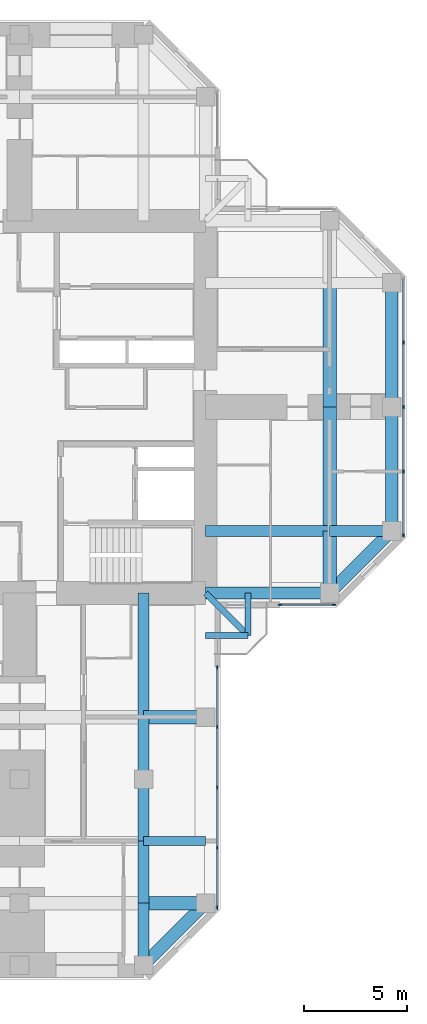
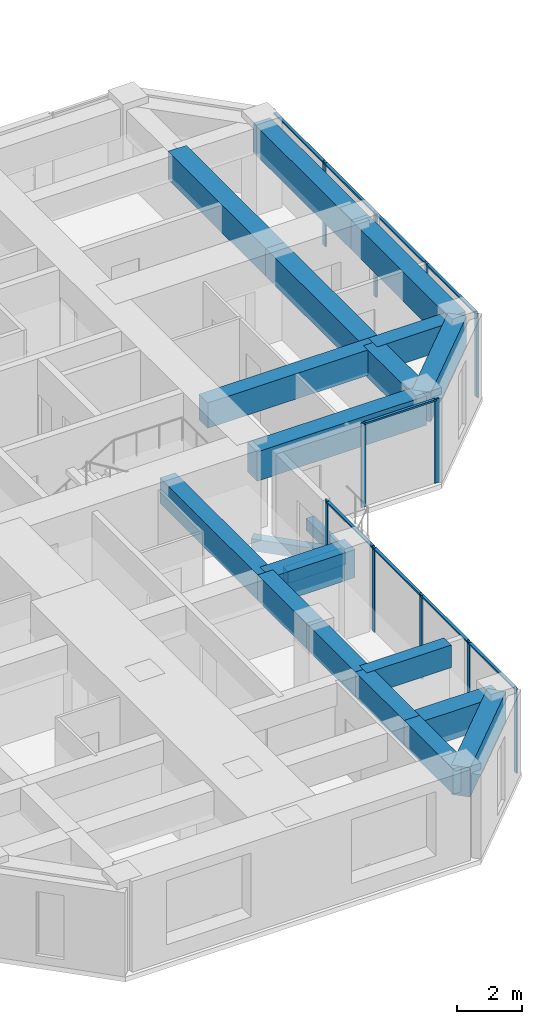
# One storey, part 4 of 14: 21 beams, 20 members, 3 elements without a shape of their own.
"""IFC4 building model written with IfcOpenShell, lengths in metres."""

from ifc_helpers import new_model, si_unit, direction, frame, origin, origin_2d, place, context, subcontext, project, spatial, rectangle, extrude, material, material_profile, profile_set, type_object, element, aggregate, save


model = new_model("IFC4")

# Units and contexts
model_context = context("Model", 3, precision=1e-05, world=origin(), true_north=direction((0.0, 1.0)))
body_context = subcontext(model_context, "Body", "Model", "MODEL_VIEW")
ifc_project = project(units=[si_unit("LENGTHUNIT", "METRE"), si_unit("AREAUNIT", "SQUARE_METRE"), si_unit("VOLUMEUNIT", "CUBIC_METRE"), si_unit("PLANEANGLEUNIT", "RADIAN"), si_unit("MASSUNIT", "GRAM", prefix="KILO")], contexts=[model_context])

# Site, building, storey
site_placement = place(None, origin())
site = spatial("IfcSite", under=ifc_project, at=site_placement, CompositionType="ELEMENT")
building_placement = place(site_placement, origin())
building = spatial("IfcBuilding", under=site, at=building_placement, Name="Torre Cruceta", CompositionType="ELEMENT")
storey_placement = place(building_placement, frame((0.0, 0.0, 213.699951171875)))
storey = spatial("IfcBuildingStorey", under=building, at=storey_placement, Name="L54", CompositionType="ELEMENT", Elevation=213.699951171875)

# Beams
ifc_material_1 = material(Name="Concrete G60 (fck 60 MPa)", Category="concrete")
ifc_material_profile_1 = material_profile(ifc_material_1, rectangle(XDim=0.300048828125, YDim=0.449951171875, at=origin_2d()), Name="RC 300X450")
ifc_profile_set_1 = profile_set([ifc_material_profile_1], Name="Concrete G60 (fck 60 MPa)")
beam_type_1 = type_object("IfcBeamType", Name="BALCONY CANTILEVER BEAM RC 300X450", PredefinedType="BEAM", material=ifc_profile_set_1)
beam_1_placement = place(storey_placement, frame((9.0, -9.0, -0.405029296875), z_axis=(0.707106781187, -0.707106781187, 0.0), x_axis=(0.707106781187, 0.707106781187, 0.0)))
element("IfcBeam", 1, at=beam_1_placement, inside=storey, type_object=beam_type_1, Name="BB1 balcony beam L54 S", PredefinedType="BEAM", context=body_context, shape_type="SweptSolid", body=[
    extrude(rectangle(XDim=0.300048828125, YDim=0.449951171875, at=origin_2d()), origin(), (0.0, 0.0, 1.0), 2.89990234375),
])
for number, where, z_axis, x_axis, name in (
    (2, (11.050537109375, -9.0, -0.405029296875), (0.0, -1.0, 0.0), (1.0, 0.0, 0.0), "BB1 balcony edge beam L54 S-X"),
    (3, (9.0, -11.050537109375, -0.405029296875), (1.0, 0.0, 0.0), (0.0, 1.0, 0.0), "BB1 balcony edge beam L54 S-Y"),
):
    element("IfcBeam", number, at=place(storey_placement, frame(where, z_axis=z_axis, x_axis=x_axis)), inside=storey, type_object=beam_type_1, Name=name, PredefinedType="BEAM", context=body_context, shape_type="SweptSolid", body=[
        extrude(rectangle(XDim=0.300048828125, YDim=0.449951171875, at=origin_2d()), origin(), (0.0, 0.0, 1.0), 2.050537109375),
    ])
ifc_material_2 = material(Name="Concrete G60 (fck 60 MPa)", Category="concrete")
ifc_material_profile_2 = material_profile(ifc_material_2, rectangle(XDim=0.550048828125, YDim=0.949951171875, at=origin_2d()), Name="RC 550X950")
ifc_profile_set_2 = profile_set([ifc_material_profile_2], Name="Concrete G60 (fck 60 MPa)")
beam_type_2 = type_object("IfcBeamType", Name="COLUMN LINE BEAM RC 550X950", PredefinedType="BEAM", material=ifc_profile_set_2)
beam_2_placement = place(storey_placement, frame((9.0, -6.0, 2.675048828125), z_axis=(1.0, 0.0, 0.0), x_axis=(0.0, 1.0, 0.0)))
element("IfcBeam", 4, at=beam_2_placement, inside=storey, type_object=beam_type_2, Name="LB3 L54 E col- 1", PredefinedType="BEAM", context=body_context, shape_type="SweptSolid", body=[
    extrude(rectangle(XDim=0.550048828125, YDim=0.949951171875, at=origin_2d()), origin(), (0.0, 0.0, 1.0), 6.0),
])
beam_3_placement = place(storey_placement, frame((15.0, -6.0, 2.675048828125), z_axis=(1.0, 0.0, 0.0), x_axis=(0.0, 1.0, 0.0)))
element("IfcBeam", 5, at=beam_3_placement, inside=storey, type_object=beam_type_2, Name="LB3 L54 E col- 2", PredefinedType="BEAM", context=body_context, shape_type="SweptSolid", body=[
    extrude(rectangle(XDim=0.550048828125, YDim=0.949951171875, at=origin_2d()), origin(), (0.0, 0.0, 1.0), 3.0),
])
beam_4_placement = place(storey_placement, frame((6.0, -9.0, 2.675048828125), z_axis=(0.0, -1.0, 0.0), x_axis=(1.0, 0.0, 0.0)))
element("IfcBeam", 6, at=beam_4_placement, inside=storey, type_object=beam_type_2, Name="LB3 L54 S col+ 1", PredefinedType="BEAM", context=body_context, shape_type="SweptSolid", body=[
    extrude(rectangle(XDim=0.550048828125, YDim=0.949951171875, at=origin_2d()), origin(), (0.0, 0.0, 1.0), 6.0),
])
for number, where, z_axis, x_axis, name in (
    (7, (6.0, -15.0, 2.675048828125), (0.0, -1.0, 0.0), (1.0, 0.0, 0.0), "LB3 L54 S col+ 2"),
    (8, (6.0, -18.0, 2.675048828125), (0.0, -1.0, 0.0), (1.0, 0.0, 0.0), "LB3 L54 S col+ 3"),
    (9, (6.0, -21.0, 2.675048828125), (0.0, -1.0, 0.0), (1.0, 0.0, 0.0), "LB3 L54 S col+ 4"),
    (10, (6.0, -24.0, 2.675048828125), (0.0, -1.0, 0.0), (1.0, 0.0, 0.0), "LB3 L54 S col+ 5"),
):
    element("IfcBeam", number, at=place(storey_placement, frame(where, z_axis=z_axis, x_axis=x_axis)), inside=storey, type_object=beam_type_2, Name=name, PredefinedType="BEAM", context=body_context, shape_type="SweptSolid", body=[
        extrude(rectangle(XDim=0.550048828125, YDim=0.949951171875, at=origin_2d()), origin(), (0.0, 0.0, 1.0), 3.0),
    ])
ifc_material_3 = material(Name="Concrete G60 (fck 60 MPa)", Category="concrete")
ifc_material_profile_3 = material_profile(ifc_material_3, rectangle(XDim=0.64990234375, YDim=1.050048828125, at=origin_2d()), Name="RC 650X1050")
ifc_profile_set_3 = profile_set([ifc_material_profile_3], Name="Concrete G60 (fck 60 MPa)")
beam_type_3 = type_object("IfcBeamType", Name="CROSS BEAM RC 650X1050", PredefinedType="BEAM", material=ifc_profile_set_3)
beam_5_placement = place(storey_placement, frame((15.0, -9.0, 2.625), z_axis=(0.0, 1.0, 0.0), x_axis=(-1.0, 0.0, 0.0)))
element("IfcBeam", 11, at=beam_5_placement, inside=storey, type_object=beam_type_3, Name="GB3 L54 E cross15 1", PredefinedType="BEAM", context=body_context, shape_type="SweptSolid", body=[
    extrude(rectangle(XDim=0.64990234375, YDim=1.050048828125, at=origin_2d()), origin(), (0.0, 0.0, 1.0), 3.0),
])
for number, where, z_axis, x_axis, name in (
    (12, (15.0, -6.0, 2.625), (0.0, 1.0, 0.0), (-1.0, 0.0, 0.0), "GB3 L54 E cross15 2"),
    (13, (15.0, 0.0, 2.625), (0.0, 1.0, 0.0), (-1.0, 0.0, 0.0), "GB3 L54 E cross15 3"),
):
    element("IfcBeam", number, at=place(storey_placement, frame(where, z_axis=z_axis, x_axis=x_axis)), inside=storey, type_object=beam_type_3, Name=name, PredefinedType="BEAM", context=body_context, shape_type="SweptSolid", body=[
        extrude(rectangle(XDim=0.64990234375, YDim=1.050048828125, at=origin_2d()), origin(), (0.0, 0.0, 1.0), 6.0),
    ])
for number, where, z_axis, x_axis, name in (
    (14, (6.0, -15.0, 2.625), (1.0, 0.0, 0.0), (0.0, 1.0, 0.0), "GB3 L54 S cross15 4"),
    (15, (6.0, -24.0, 2.625), (1.0, 0.0, 0.0), (0.0, 1.0, 0.0), "GB3 L54 S cross24 4"),
):
    element("IfcBeam", number, at=place(storey_placement, frame(where, z_axis=z_axis, x_axis=x_axis)), inside=storey, type_object=beam_type_3, Name=name, PredefinedType="BEAM", context=body_context, shape_type="SweptSolid", body=[
        extrude(rectangle(XDim=0.64990234375, YDim=1.050048828125, at=origin_2d()), origin(), (0.0, 0.0, 1.0), 3.0),
    ])

# Curtain wall, members
ifc_material_4 = material(Name="Aluminium unitised curtain wall", Category="aluminium")
curtain_wall_type = type_object("IfcCurtainWallType", Name="CURTAIN WALL CW-C CO-LIVING", PredefinedType="USERDEFINED", material=ifc_material_4)
curtain_wall_1_placement = place(storey_placement, origin())
curtain_wall_1 = element("IfcCurtainWall", 16, at=curtain_wall_1_placement, inside=storey, type_object=curtain_wall_type, Name="CW-C L54 E side 00", ObjectType="UNITISED", PredefinedType="USERDEFINED")
ifc_material_5 = material(Name="Aluminium mullion", Category="aluminium")
ifc_material_profile_4 = material_profile(ifc_material_5, rectangle(XDim=0.06005859375, YDim=0.159912109375, at=origin_2d()), Name="AL 60X160")
ifc_profile_set_4 = profile_set([ifc_material_profile_4], Name="Aluminium mullion")
member_type_1 = type_object("IfcMemberType", Name="CW-C MULLION 60X160", PredefinedType="MULLION", material=ifc_profile_set_4)
member_1_placement = place(storey_placement, frame((12.60009765625, -9.570068359375, 0.0), z_axis=(0.0, 0.0, 1.0), x_axis=(0.0, 1.0, 0.0)))
member_1 = element("IfcMember", 17, at=member_1_placement, type_object=member_type_1, Name="CW-C mullion 1", PredefinedType="MULLION", context=body_context, shape_type="SweptSolid", body=[
    extrude(rectangle(XDim=0.06005859375, YDim=0.159912109375, at=origin_2d()), origin(), (0.0, 0.0, 1.0), 3.150146484375),
])
member_2_placement = place(storey_placement, frame((15.2060546875, -9.570068359375, 0.0), z_axis=(0.0, 0.0, 1.0), x_axis=(0.0, 1.0, 0.0)))
member_2 = element("IfcMember", 18, at=member_2_placement, type_object=member_type_1, Name="CW-C mullion 2", PredefinedType="MULLION", context=body_context, shape_type="SweptSolid", body=[
    extrude(rectangle(XDim=0.06005859375, YDim=0.159912109375, at=origin_2d()), origin(), (0.0, 0.0, 1.0), 3.150146484375),
])

curtain_wall_2_placement = place(storey_placement, origin())
curtain_wall_2 = element("IfcCurtainWall", 19, at=curtain_wall_2_placement, inside=storey, type_object=curtain_wall_type, Name="CW-C L54 E tip 02", ObjectType="UNITISED", PredefinedType="USERDEFINED")
member_3_placement = place(storey_placement, frame((18.570068359375, -6.2060546875, 0.0), z_axis=(0.0, 0.0, 1.0), x_axis=(-1.0, 0.0, 0.0)))
member_3 = element("IfcMember", 20, at=member_3_placement, type_object=member_type_1, Name="CW-C mullion 1", PredefinedType="MULLION", context=body_context, shape_type="SweptSolid", body=[
    extrude(rectangle(XDim=0.06005859375, YDim=0.159912109375, at=origin_2d()), origin(), (0.0, 0.0, 1.0), 3.150146484375),
])
member_4_placement = place(storey_placement, frame((18.570068359375, -3.1181640625, 0.0), z_axis=(0.0, 0.0, 1.0), x_axis=(-1.0, 0.0, 0.0)))
member_4 = element("IfcMember", 21, at=member_4_placement, type_object=member_type_1, Name="CW-C mullion 2", PredefinedType="MULLION", context=body_context, shape_type="SweptSolid", body=[
    extrude(rectangle(XDim=0.06005859375, YDim=0.159912109375, at=origin_2d()), origin(), (0.0, 0.0, 1.0), 3.150146484375),
])
member_5_placement = place(storey_placement, frame((18.570068359375, 0.0, 0.0), z_axis=(0.0, 0.0, 1.0), x_axis=(-1.0, 0.0, 0.0)))
member_5 = element("IfcMember", 22, at=member_5_placement, type_object=member_type_1, Name="CW-C mullion 3", PredefinedType="MULLION", context=body_context, shape_type="SweptSolid", body=[
    extrude(rectangle(XDim=0.06005859375, YDim=0.159912109375, at=origin_2d()), origin(), (0.0, 0.0, 1.0), 3.150146484375),
])
member_6_placement = place(storey_placement, frame((18.570068359375, 3.1181640625, 0.0), z_axis=(0.0, 0.0, 1.0), x_axis=(-1.0, 0.0, 0.0)))
member_6 = element("IfcMember", 23, at=member_6_placement, type_object=member_type_1, Name="CW-C mullion 4", PredefinedType="MULLION", context=body_context, shape_type="SweptSolid", body=[
    extrude(rectangle(XDim=0.06005859375, YDim=0.159912109375, at=origin_2d()), origin(), (0.0, 0.0, 1.0), 3.150146484375),
])

curtain_wall_3_placement = place(storey_placement, origin())
curtain_wall_3 = element("IfcCurtainWall", 24, at=curtain_wall_3_placement, inside=storey, type_object=curtain_wall_type, Name="CW-C L54 S side 19", ObjectType="UNITISED", PredefinedType="USERDEFINED")
member_7_placement = place(storey_placement, frame((9.570068359375, -24.2060546875, 0.0), z_axis=(0.0, 0.0, 1.0), x_axis=(-1.0, 0.0, 0.0)))
member_7 = element("IfcMember", 25, at=member_7_placement, type_object=member_type_1, Name="CW-C mullion 1", PredefinedType="MULLION", context=body_context, shape_type="SweptSolid", body=[
    extrude(rectangle(XDim=0.06005859375, YDim=0.159912109375, at=origin_2d()), origin(), (0.0, 0.0, 1.0), 3.150146484375),
])
member_8_placement = place(storey_placement, frame((9.570068359375, -21.319580078125, 0.0), z_axis=(0.0, 0.0, 1.0), x_axis=(-1.0, 0.0, 0.0)))
member_8 = element("IfcMember", 26, at=member_8_placement, type_object=member_type_1, Name="CW-C mullion 2", PredefinedType="MULLION", context=body_context, shape_type="SweptSolid", body=[
    extrude(rectangle(XDim=0.06005859375, YDim=0.159912109375, at=origin_2d()), origin(), (0.0, 0.0, 1.0), 3.150146484375),
])
member_9_placement = place(storey_placement, frame((9.570068359375, -18.403076171875, 0.0), z_axis=(0.0, 0.0, 1.0), x_axis=(-1.0, 0.0, 0.0)))
member_9 = element("IfcMember", 27, at=member_9_placement, type_object=member_type_1, Name="CW-C mullion 3", PredefinedType="MULLION", context=body_context, shape_type="SweptSolid", body=[
    extrude(rectangle(XDim=0.06005859375, YDim=0.159912109375, at=origin_2d()), origin(), (0.0, 0.0, 1.0), 3.150146484375),
])
member_10_placement = place(storey_placement, frame((9.570068359375, -15.486572265625, 0.0), z_axis=(0.0, 0.0, 1.0), x_axis=(-1.0, 0.0, 0.0)))
member_10 = element("IfcMember", 28, at=member_10_placement, type_object=member_type_1, Name="CW-C mullion 4", PredefinedType="MULLION", context=body_context, shape_type="SweptSolid", body=[
    extrude(rectangle(XDim=0.06005859375, YDim=0.159912109375, at=origin_2d()), origin(), (0.0, 0.0, 1.0), 3.150146484375),
])
member_11_placement = place(storey_placement, frame((9.570068359375, -12.60009765625, 0.0), z_axis=(0.0, 0.0, 1.0), x_axis=(-1.0, 0.0, 0.0)))
member_11 = element("IfcMember", 29, at=member_11_placement, type_object=member_type_1, Name="CW-C mullion 5", PredefinedType="MULLION", context=body_context, shape_type="SweptSolid", body=[
    extrude(rectangle(XDim=0.06005859375, YDim=0.159912109375, at=origin_2d()), origin(), (0.0, 0.0, 1.0), 3.150146484375),
])

# Member
ifc_material_6 = material(Name="Aluminium transom", Category="aluminium")
ifc_material_profile_5 = material_profile(ifc_material_6, rectangle(XDim=0.10009765625, YDim=0.06005859375, at=origin_2d()), Name="AL 100X60")
ifc_profile_set_5 = profile_set([ifc_material_profile_5], Name="Aluminium transom")
member_type_2 = type_object("IfcMemberType", Name="CW-C TRANSOM 60X100", PredefinedType="USERDEFINED", material=ifc_profile_set_5)
member_12_placement = place(storey_placement, frame((12.6298828125, -9.570068359375, 3.1201171875), z_axis=(1.0, 0.0, 0.0), x_axis=(0.0, 1.0, 0.0)))
member_12 = element("IfcMember", 30, at=member_12_placement, type_object=member_type_2, Name="CW-C transom 1", ObjectType="TRANSOM", PredefinedType="USERDEFINED", context=body_context, shape_type="SweptSolid", body=[
    extrude(rectangle(XDim=0.10009765625, YDim=0.06005859375, at=origin_2d()), origin(), (0.0, 0.0, 1.0), 2.546142578125),
])

aggregate(curtain_wall_1, [member_1, member_2, member_12])

member_13_placement = place(storey_placement, frame((18.570068359375, -6.176025390625, 3.1201171875), z_axis=(0.0, 1.0, 0.0), x_axis=(-1.0, 0.0, 0.0)))
member_13 = element("IfcMember", 31, at=member_13_placement, type_object=member_type_2, Name="CW-C transom 1", ObjectType="TRANSOM", PredefinedType="USERDEFINED", context=body_context, shape_type="SweptSolid", body=[
    extrude(rectangle(XDim=0.10009765625, YDim=0.06005859375, at=origin_2d()), origin(), (0.0, 0.0, 1.0), 3.028076171875),
])

member_14_placement = place(storey_placement, frame((18.570068359375, -3.088134765625, 3.1201171875), z_axis=(0.0, 1.0, 0.0), x_axis=(-1.0, 0.0, 0.0)))
member_14 = element("IfcMember", 32, at=member_14_placement, type_object=member_type_2, Name="CW-C transom 2", ObjectType="TRANSOM", PredefinedType="USERDEFINED", context=body_context, shape_type="SweptSolid", body=[
    extrude(rectangle(XDim=0.10009765625, YDim=0.06005859375, at=origin_2d()), origin(), (0.0, 0.0, 1.0), 3.05810546875),
])

member_15_placement = place(storey_placement, frame((18.570068359375, 0.030029296875, 3.1201171875), z_axis=(0.0, 1.0, 0.0), x_axis=(-1.0, 0.0, 0.0)))
member_15 = element("IfcMember", 33, at=member_15_placement, type_object=member_type_2, Name="CW-C transom 3", ObjectType="TRANSOM", PredefinedType="USERDEFINED", context=body_context, shape_type="SweptSolid", body=[
    extrude(rectangle(XDim=0.10009765625, YDim=0.06005859375, at=origin_2d()), origin(), (0.0, 0.0, 1.0), 3.05810546875),
])

member_16_placement = place(storey_placement, frame((18.570068359375, 3.14794921875, 3.1201171875), z_axis=(0.0, 1.0, 0.0), x_axis=(-1.0, 0.0, 0.0)))
member_16 = element("IfcMember", 34, at=member_16_placement, type_object=member_type_2, Name="CW-C transom 4", ObjectType="TRANSOM", PredefinedType="USERDEFINED", context=body_context, shape_type="SweptSolid", body=[
    extrude(rectangle(XDim=0.10009765625, YDim=0.06005859375, at=origin_2d()), origin(), (0.0, 0.0, 1.0), 3.028076171875),
])

aggregate(curtain_wall_2, [member_3, member_4, member_5, member_6, member_13, member_14, member_15, member_16])

member_17_placement = place(storey_placement, frame((9.570068359375, -24.176025390625, 3.1201171875), z_axis=(0.0, 1.0, 0.0), x_axis=(-1.0, 0.0, 0.0)))
member_17 = element("IfcMember", 35, at=member_17_placement, type_object=member_type_2, Name="CW-C transom 1", ObjectType="TRANSOM", PredefinedType="USERDEFINED", context=body_context, shape_type="SweptSolid", body=[
    extrude(rectangle(XDim=0.10009765625, YDim=0.06005859375, at=origin_2d()), origin(), (0.0, 0.0, 1.0), 2.826416015625),
])

member_18_placement = place(storey_placement, frame((9.570068359375, -21.28955078125, 3.1201171875), z_axis=(0.0, 1.0, 0.0), x_axis=(-1.0, 0.0, 0.0)))
member_18 = element("IfcMember", 36, at=member_18_placement, type_object=member_type_2, Name="CW-C transom 2", ObjectType="TRANSOM", PredefinedType="USERDEFINED", context=body_context, shape_type="SweptSolid", body=[
    extrude(rectangle(XDim=0.10009765625, YDim=0.06005859375, at=origin_2d()), origin(), (0.0, 0.0, 1.0), 2.8564453125),
])

member_19_placement = place(storey_placement, frame((9.570068359375, -18.373046875, 3.1201171875), z_axis=(0.0, 1.0, 0.0), x_axis=(-1.0, 0.0, 0.0)))
member_19 = element("IfcMember", 37, at=member_19_placement, type_object=member_type_2, Name="CW-C transom 3", ObjectType="TRANSOM", PredefinedType="USERDEFINED", context=body_context, shape_type="SweptSolid", body=[
    extrude(rectangle(XDim=0.10009765625, YDim=0.06005859375, at=origin_2d()), origin(), (0.0, 0.0, 1.0), 2.8564453125),
])

member_20_placement = place(storey_placement, frame((9.570068359375, -15.45654296875, 3.1201171875), z_axis=(0.0, 1.0, 0.0), x_axis=(-1.0, 0.0, 0.0)))
member_20 = element("IfcMember", 38, at=member_20_placement, type_object=member_type_2, Name="CW-C transom 4", ObjectType="TRANSOM", PredefinedType="USERDEFINED", context=body_context, shape_type="SweptSolid", body=[
    extrude(rectangle(XDim=0.10009765625, YDim=0.06005859375, at=origin_2d()), origin(), (0.0, 0.0, 1.0), 2.82666015625),
])

aggregate(curtain_wall_3, [member_7, member_8, member_9, member_10, member_11, member_17, member_18, member_19, member_20])

# Beams
ifc_material_7 = material(Name="Concrete G60 (fck 60 MPa)", Category="concrete")
ifc_material_profile_6 = material_profile(ifc_material_7, rectangle(XDim=0.449951171875, YDim=0.85009765625, at=origin_2d()), Name="RC 450X850")
ifc_profile_set_6 = profile_set([ifc_material_profile_6], Name="Concrete G60 (fck 60 MPa)")
beam_type_4 = type_object("IfcBeamType", Name="SECONDARY BEAM RC 450X850", PredefinedType="JOIST", material=ifc_profile_set_6)
beam_6_placement = place(storey_placement, frame((6.0, -21.0, 2.72509765625), z_axis=(1.0, 0.0, 0.0), x_axis=(0.0, 1.0, 0.0)))
element("IfcBeam", 39, at=beam_6_placement, inside=storey, type_object=beam_type_4, Name="JB4 L54 S sec21 4", PredefinedType="JOIST", context=body_context, shape_type="SweptSolid", body=[
    extrude(rectangle(XDim=0.449951171875, YDim=0.85009765625, at=origin_2d()), origin(), (0.0, 0.0, 1.0), 3.0),
])
ifc_material_8 = material(Name="Concrete G60 (fck 60 MPa)", Category="concrete")
ifc_material_profile_7 = material_profile(ifc_material_8, rectangle(XDim=0.60009765625, YDim=1.10009765625, at=origin_2d()), Name="RC 600X1100")
ifc_profile_set_7 = profile_set([ifc_material_profile_7], Name="Concrete G60 (fck 60 MPa)")
beam_type_5 = type_object("IfcBeamType", Name="SPANDREL BEAM RC 600X1100", PredefinedType="SPANDREL", material=ifc_profile_set_7)
beam_7_placement = place(storey_placement, frame((9.0, -9.0, 2.60009765625), z_axis=(1.0, 0.0, 0.0), x_axis=(0.0, 1.0, 0.0)))
element("IfcBeam", 40, at=beam_7_placement, inside=storey, type_object=beam_type_5, Name="SB2 L54 E side- 1", PredefinedType="SPANDREL", context=body_context, shape_type="SweptSolid", body=[
    extrude(rectangle(XDim=0.60009765625, YDim=1.10009765625, at=origin_2d()), origin(), (0.0, 0.0, 1.0), 6.0),
])
beam_8_placement = place(storey_placement, frame((15.0, -9.0, 2.60009765625), z_axis=(0.707106781187, 0.707106781187, 0.0), x_axis=(-0.707106781187, 0.707106781187, 0.0)))
element("IfcBeam", 41, at=beam_8_placement, inside=storey, type_object=beam_type_5, Name="SB2 L54 E side- 2", PredefinedType="SPANDREL", context=body_context, shape_type="SweptSolid", body=[
    extrude(rectangle(XDim=0.60009765625, YDim=1.10009765625, at=origin_2d()), origin(), (0.0, 0.0, 1.0), 4.24267578125),
])
for number, where, z_axis, x_axis, name in (
    (42, (18.0, -6.0, 2.60009765625), (0.0, 1.0, 0.0), (-1.0, 0.0, 0.0), "SB2 L54 E tip 1"),
    (43, (18.0, 0.0, 2.60009765625), (0.0, 1.0, 0.0), (-1.0, 0.0, 0.0), "SB2 L54 E tip 2"),
):
    element("IfcBeam", number, at=place(storey_placement, frame(where, z_axis=z_axis, x_axis=x_axis)), inside=storey, type_object=beam_type_5, Name=name, PredefinedType="SPANDREL", context=body_context, shape_type="SweptSolid", body=[
        extrude(rectangle(XDim=0.60009765625, YDim=1.10009765625, at=origin_2d()), origin(), (0.0, 0.0, 1.0), 6.0),
    ])
beam_9_placement = place(storey_placement, frame((9.0, -24.0, 2.60009765625), z_axis=(-0.707106781187, -0.707106781187, 0.0), x_axis=(0.707106781187, -0.707106781187, 0.0)))
element("IfcBeam", 44, at=beam_9_placement, inside=storey, type_object=beam_type_5, Name="SB2 L54 S side+ 5", PredefinedType="SPANDREL", context=body_context, shape_type="SweptSolid", body=[
    extrude(rectangle(XDim=0.60009765625, YDim=1.10009765625, at=origin_2d()), origin(), (0.0, 0.0, 1.0), 4.24267578125),
])

save(model, "model.ifc")
